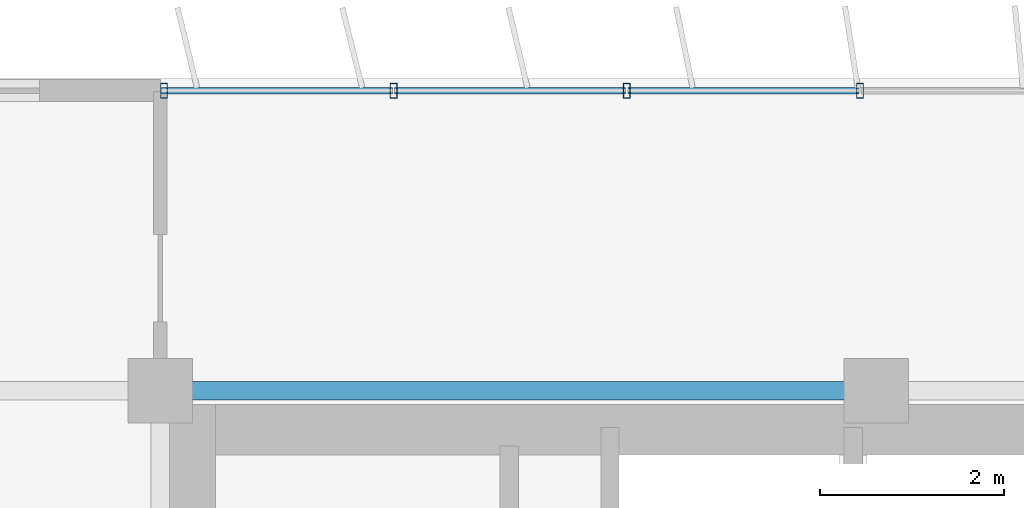
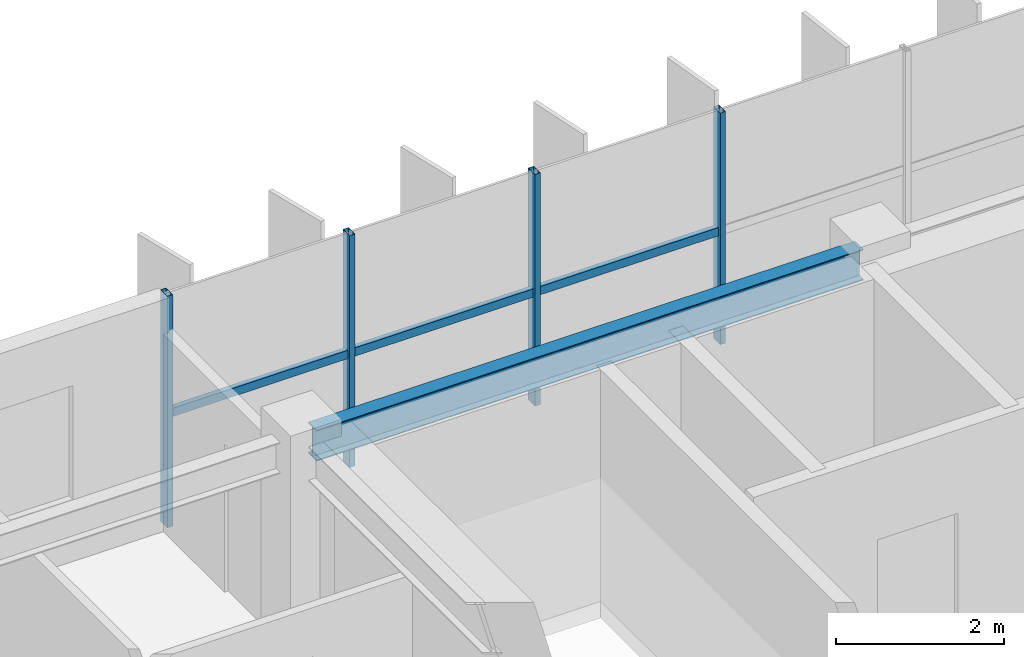
# One storey, part 6 of 23: 7 members, 1 beam, 1 element without a shape of its own.
"""IFC4 building model written with IfcOpenShell, lengths in metres."""

from ifc_helpers import new_model, si_unit, direction, frame, origin, origin_2d, place, context, subcontext, project, spatial, hollow_rectangle, i_section, extrude, source, transform, mapped, material, material_profile, profile_set, type_object, element, aggregate, save


model = new_model("IFC4")

# Units and contexts
model_context = context("Model", 3, precision=1e-05, world=origin(), true_north=direction((0.0, 1.0)))
body_context = subcontext(model_context, "Body", "Model", "MODEL_VIEW")
ifc_project = project(units=[si_unit("LENGTHUNIT", "METRE"), si_unit("AREAUNIT", "SQUARE_METRE"), si_unit("VOLUMEUNIT", "CUBIC_METRE"), si_unit("PLANEANGLEUNIT", "RADIAN"), si_unit("MASSUNIT", "GRAM", prefix="KILO")], contexts=[model_context])

# Site, building, storey
site_placement = place(None, origin())
site = spatial("IfcSite", under=ifc_project, at=site_placement, CompositionType="ELEMENT")
building_placement = place(site_placement, origin())
building = spatial("IfcBuilding", under=site, at=building_placement, Name="Trelvane Seafront Commons", CompositionType="ELEMENT")
storey_placement = place(building_placement, frame((0.0, 0.0, 208.5)))
storey = spatial("IfcBuildingStorey", under=building, at=storey_placement, Name="L54", CompositionType="ELEMENT", Elevation=208.5)

# Beam
ifc_material_1 = material(Name="Steel SM355 (S355)", Category="steel")
ifc_material_profile_1 = material_profile(ifc_material_1, i_section(OverallWidth=0.199951171875, OverallDepth=0.449951171875, WebThickness=0.009033203125, FlangeThickness=0.013916015625, at=origin_2d()), Name="H-450x200x9x14")
ifc_profile_set_1 = profile_set([ifc_material_profile_1], Name="Steel SM355 (S355)")
beam_type = type_object("IfcBeamType", Name="STR-SPD-H450", PredefinedType="SPANDREL", material=ifc_profile_set_1)
shared_shape_1 = source(origin(), body_context, "Body", "SweptSolid", [
    extrude(i_section(OverallWidth=0.199951171875, OverallDepth=0.449951171875, WebThickness=0.009033203125, FlangeThickness=0.013916015625, at=origin_2d()), origin(), (0.0, 0.0, 1.0), 7.5),
])
beam_placement = place(storey_placement, frame((15.75, 45.10009765625, 3.135009765625), z_axis=(1.0, 0.0, 0.0), x_axis=(0.0, 1.0, 0.0)))
element("IfcBeam", 1, at=beam_placement, inside=storey, type_object=beam_type, Name="L54 Primary Girder G-23", PredefinedType="SPANDREL", context=body_context, shape_type="MappedRepresentation", body=[
    mapped(shared_shape_1, transform((0.0, 0.0, 0.0), x_axis=(1.0, 0.0, 0.0), y_axis=(0.0, 1.0, 0.0), z_axis=(0.0, 0.0, 1.0), scale=1.0)),
])

# Curtain wall, members
ifc_material_2 = material(Name="Anodised pale-silver aluminium", Category="aluminium")
curtain_wall_type = type_object("IfcCurtainWallType", Name="ARCH-CW5-UPTOWER", PredefinedType="NOTDEFINED", material=ifc_material_2)
curtain_wall_placement = place(storey_placement, origin())
curtain_wall = element("IfcCurtainWall", 2, at=curtain_wall_placement, inside=storey, type_object=curtain_wall_type, Name="CW-L54-0097", PredefinedType="NOTDEFINED")
ifc_material_profile_2 = material_profile(ifc_material_2, hollow_rectangle(XDim=0.070068359375, YDim=0.1201171875, WallThickness=0.00390625, at=origin_2d()), Name="TRAN-70x120x4")
ifc_profile_set_2 = profile_set([ifc_material_profile_2], Name="Anodised pale-silver aluminium")
member_type_1 = type_object("IfcMemberType", Name="ARCH-CW-TRAN-120", PredefinedType="USERDEFINED", material=ifc_profile_set_2)
shared_shape_2 = source(origin(), body_context, "Body", "SweptSolid", [
    extrude(hollow_rectangle(XDim=0.070068359375, YDim=0.1201171875, WallThickness=0.00390625, at=origin_2d()), origin(), (0.0, 0.0, 1.0), 2.51708984375),
])
member_1_placement = place(storey_placement, frame((15.612060546875, 48.3701171875, 1.613037109375), z_axis=(1.0, 0.0, 0.0), x_axis=(0.0, 1.0, 0.0)))
member_1 = element("IfcMember", 3, at=member_1_placement, type_object=member_type_1, Name="CW-L54-0097-T00", ObjectType="TRANSOM", PredefinedType="USERDEFINED", context=body_context, shape_type="MappedRepresentation", body=[
    mapped(shared_shape_2, transform((0.0, 0.0, 0.0), x_axis=(1.0, 0.0, 0.0), y_axis=(0.0, 1.0, 0.0), z_axis=(0.0, 0.0, 1.0), scale=1.0)),
])
member_2_placement = place(storey_placement, frame((18.1533203125, 48.3701171875, 1.613037109375), z_axis=(1.0, 0.0, 0.0), x_axis=(0.0, 1.0, 0.0)))
member_2 = element("IfcMember", 4, at=member_2_placement, type_object=member_type_1, Name="CW-L54-0097-T01", ObjectType="TRANSOM", PredefinedType="USERDEFINED", context=body_context, shape_type="MappedRepresentation", body=[
    mapped(shared_shape_2, transform((0.0, 0.0, 0.0), x_axis=(1.0, 0.0, 0.0), y_axis=(0.0, 1.0, 0.0), z_axis=(0.0, 0.0, 1.0), scale=1.0)),
])
member_3_placement = place(storey_placement, frame((20.6943359375, 48.3701171875, 1.613037109375), z_axis=(1.0, 0.0, 0.0), x_axis=(0.0, 1.0, 0.0)))
member_3 = element("IfcMember", 5, at=member_3_placement, type_object=member_type_1, Name="CW-L54-0097-T02", ObjectType="TRANSOM", PredefinedType="USERDEFINED", context=body_context, shape_type="MappedRepresentation", body=[
    mapped(shared_shape_2, transform((0.0, 0.0, 0.0), x_axis=(1.0, 0.0, 0.0), y_axis=(0.0, 1.0, 0.0), z_axis=(0.0, 0.0, 1.0), scale=1.0)),
])
ifc_material_profile_3 = material_profile(ifc_material_2, hollow_rectangle(XDim=0.074951171875, YDim=0.159912109375, WallThickness=0.00390625, at=origin_2d()), Name="MULL-75x160x4")
ifc_profile_set_3 = profile_set([ifc_material_profile_3], Name="Anodised pale-silver aluminium")
member_type_2 = type_object("IfcMemberType", Name="ARCH-CW-MULL-160", PredefinedType="MULLION", material=ifc_profile_set_3)
shared_shape_3 = source(origin(), body_context, "Body", "SweptSolid", [
    extrude(hollow_rectangle(XDim=0.074951171875, YDim=0.159912109375, WallThickness=0.00390625, at=origin_2d()), origin(), (0.0, 0.0, 1.0), 3.360107421875),
])
member_4_placement = place(storey_placement, frame((15.639892578125, 48.3701171875, 0.0), z_axis=(0.0, 0.0, 1.0), x_axis=(1.0, 0.0, 0.0)))
member_4 = element("IfcMember", 6, at=member_4_placement, type_object=member_type_2, Name="CW-L54-0097-M00", PredefinedType="MULLION", context=body_context, shape_type="MappedRepresentation", body=[
    mapped(shared_shape_3, transform((0.0, 0.0, 0.0), x_axis=(1.0, 0.0, 0.0), y_axis=(0.0, 1.0, 0.0), z_axis=(0.0, 0.0, 1.0), scale=1.0)),
])
member_5_placement = place(storey_placement, frame((18.14111328125, 48.3701171875, 0.0), z_axis=(0.0, 0.0, 1.0), x_axis=(1.0, 0.0, 0.0)))
member_5 = element("IfcMember", 7, at=member_5_placement, type_object=member_type_2, Name="CW-L54-0097-M01", PredefinedType="MULLION", context=body_context, shape_type="MappedRepresentation", body=[
    mapped(shared_shape_3, transform((0.0, 0.0, 0.0), x_axis=(1.0, 0.0, 0.0), y_axis=(0.0, 1.0, 0.0), z_axis=(0.0, 0.0, 1.0), scale=1.0)),
])
member_6_placement = place(storey_placement, frame((20.682373046875, 48.3701171875, 0.0), z_axis=(0.0, 0.0, 1.0), x_axis=(1.0, 0.0, 0.0)))
member_6 = element("IfcMember", 8, at=member_6_placement, type_object=member_type_2, Name="CW-L54-0097-M02", PredefinedType="MULLION", context=body_context, shape_type="MappedRepresentation", body=[
    mapped(shared_shape_3, transform((0.0, 0.0, 0.0), x_axis=(1.0, 0.0, 0.0), y_axis=(0.0, 1.0, 0.0), z_axis=(0.0, 0.0, 1.0), scale=1.0)),
])
member_7_placement = place(storey_placement, frame((23.223388671875, 48.3701171875, 0.0), z_axis=(0.0, 0.0, 1.0), x_axis=(1.0, 0.0, 0.0)))
member_7 = element("IfcMember", 9, at=member_7_placement, type_object=member_type_2, Name="CW-L54-0097-M03", PredefinedType="MULLION", context=body_context, shape_type="MappedRepresentation", body=[
    mapped(shared_shape_3, transform((0.0, 0.0, 0.0), x_axis=(1.0, 0.0, 0.0), y_axis=(0.0, 1.0, 0.0), z_axis=(0.0, 0.0, 1.0), scale=1.0)),
])
aggregate(curtain_wall, [member_4, member_5, member_6, member_7, member_1, member_2, member_3])

save(model, "model.ifc")
